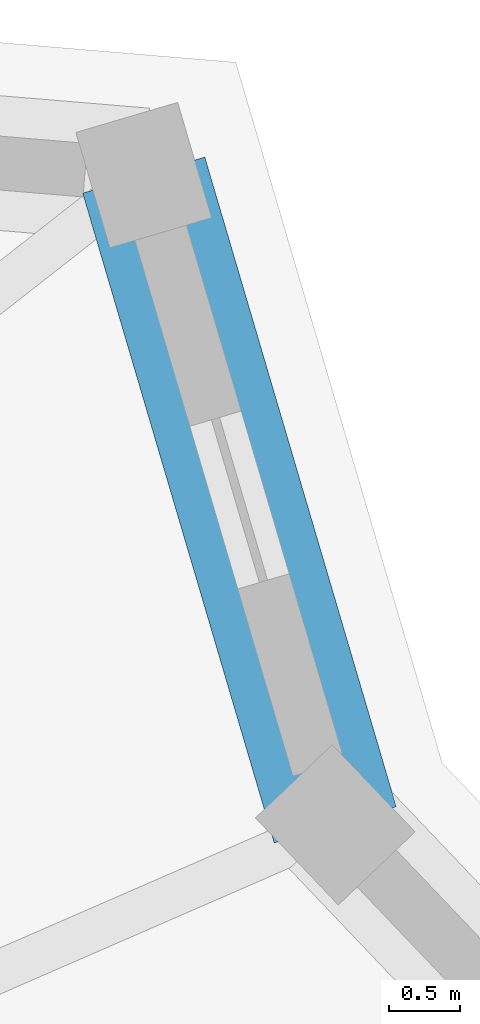
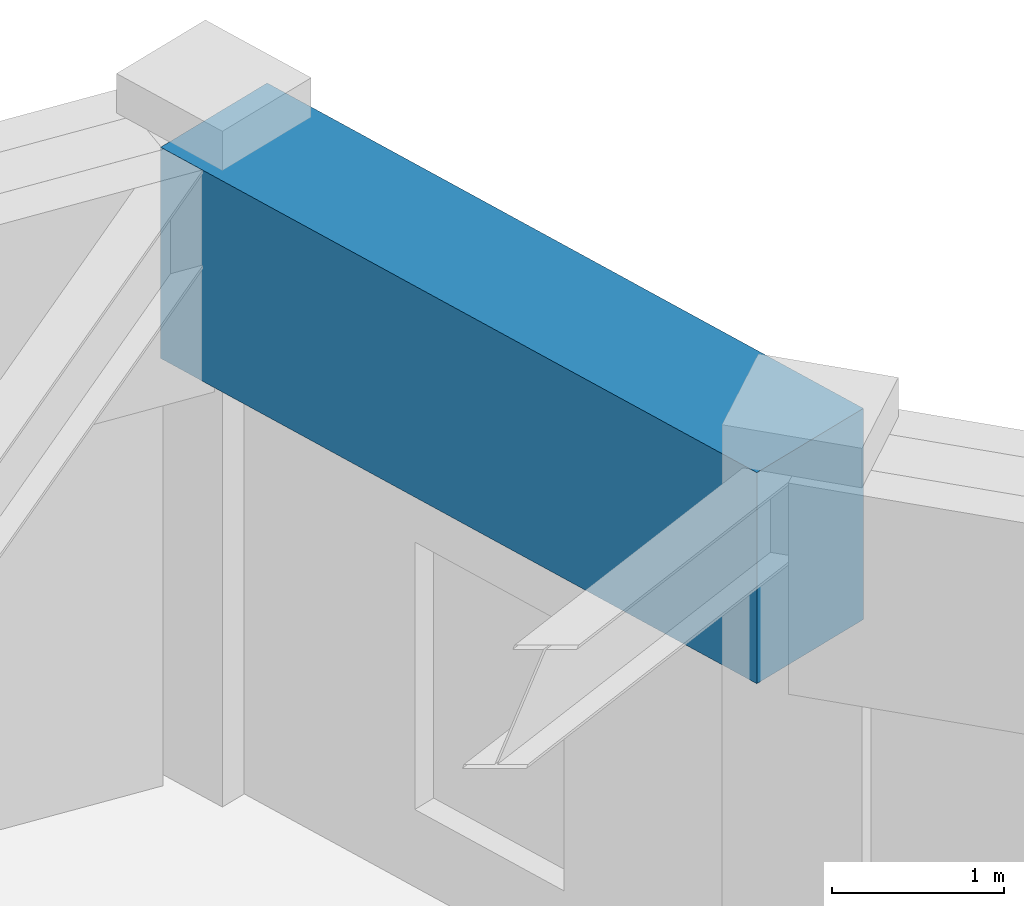
# One storey, part 28 of 40: 1 beam.
"""IFC4 building model written with IfcOpenShell, lengths in metres."""

from ifc_helpers import new_model, si_unit, direction, frame, origin, origin_2d, place, context, subcontext, project, spatial, rectangle, extrude, source, transform, mapped, material, material_profile, profile_set, type_object, element, save


model = new_model("IFC4")

# Units and contexts
model_context = context("Model", 3, precision=1e-05, world=origin(), true_north=direction((0.0, 1.0)))
body_context = subcontext(model_context, "Body", "Model", "MODEL_VIEW")
ifc_project = project(units=[si_unit("LENGTHUNIT", "METRE"), si_unit("AREAUNIT", "SQUARE_METRE"), si_unit("VOLUMEUNIT", "CUBIC_METRE"), si_unit("PLANEANGLEUNIT", "RADIAN"), si_unit("MASSUNIT", "GRAM", prefix="KILO")], contexts=[model_context])

# Site, building, storey
site_placement = place(None, origin())
site = spatial("IfcSite", under=ifc_project, at=site_placement, CompositionType="ELEMENT")
building_placement = place(site_placement, origin())
building = spatial("IfcBuilding", under=site, at=building_placement, Name="Liaohun Quay Tower", CompositionType="ELEMENT")
storey_placement = place(building_placement, frame((0.0, 0.0, 351.0)))
storey = spatial("IfcBuildingStorey", under=building, at=storey_placement, Name="L91", CompositionType="ELEMENT", Elevation=351.0)

# Beam
ifc_material = material(Name="Concrete C55", Category="concrete")
ifc_material_profile = material_profile(ifc_material, rectangle(XDim=0.89990234375, YDim=1.5, at=origin_2d()), Name="RC900x1500")
ifc_profile_set = profile_set([ifc_material_profile], Name="Concrete C55")
beam_type = type_object("IfcBeamType", Name="BM-CAN-RING", PredefinedType="BEAM", material=ifc_profile_set)
shared_shape = source(origin(), body_context, "Body", "SweptSolid", [
    extrude(rectangle(XDim=0.89990234375, YDim=1.5, at=origin_2d()), origin(), (0.0, 0.0, 1.0), 4.789306640625),
])
beam_placement = place(storey_placement, frame((83.93408203125, 73.194091796875, 3.77001953125), z_axis=(0.282709962926, -0.959205440384, 0.0), x_axis=(0.959205440384, 0.282709962926, 0.0)))
element("IfcBeam", 1, at=beam_placement, inside=storey, type_object=beam_type, Name="L91 Precast Spandrel Beam PC07-PC08", PredefinedType="BEAM", context=body_context, shape_type="MappedRepresentation", body=[
    mapped(shared_shape, transform((0.0, 0.0, 0.0), x_axis=(1.0, 0.0, 0.0), y_axis=(0.0, 1.0, 0.0), z_axis=(0.0, 0.0, 1.0), scale=1.0)),
])

save(model, "model.ifc")
